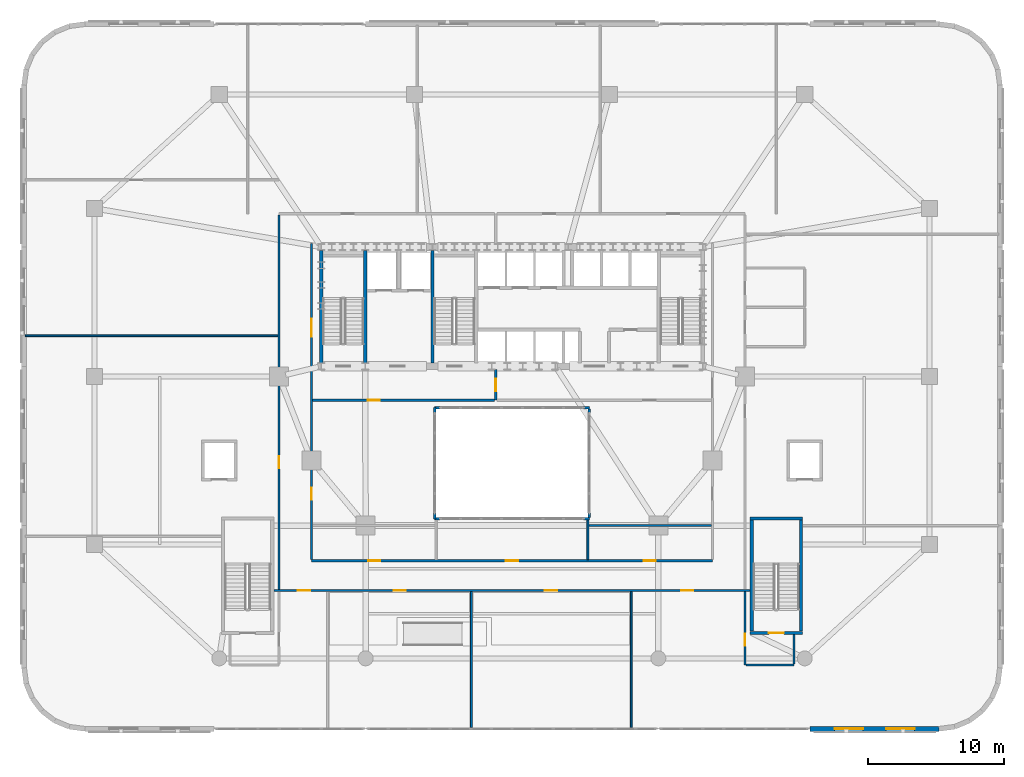
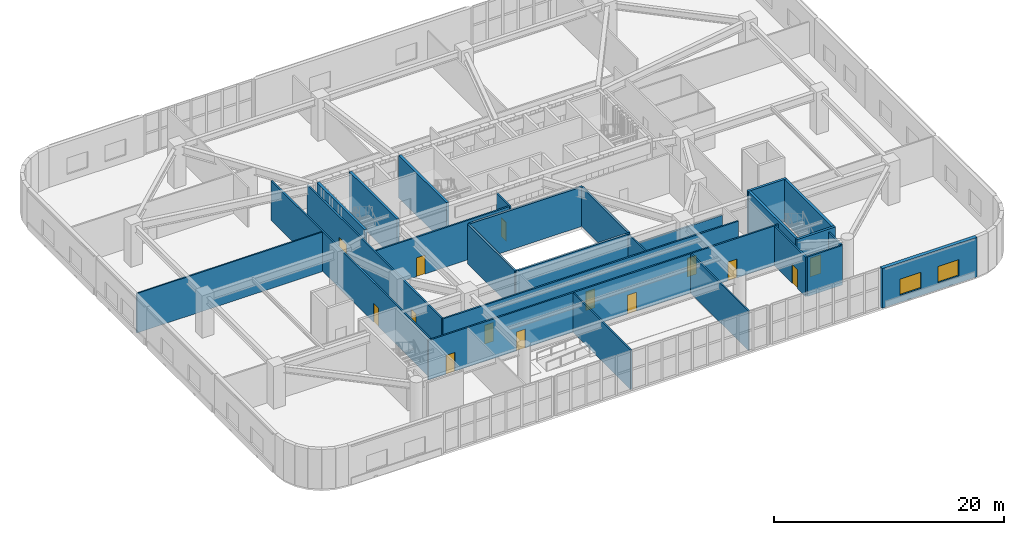
# One storey, part 14 of 25: 26 walls, 14 doors, 2 windows, 16 openings.
"""IFC4 building model written with IfcOpenShell, lengths in metres."""

from ifc_helpers import new_model, si_unit, direction, frame, frame_2d, origin, place, context, subcontext, project, spatial, rectangle, extrude, material, layer, layer_set, type_object, element, fill, save


model = new_model("IFC4")

# Units and contexts
model_context = context("Model", 3, precision=1e-05, world=origin(), true_north=direction((0.0, 1.0)))
body_context = subcontext(model_context, "Body", "Model", "MODEL_VIEW")
ifc_project = project(units=[si_unit("LENGTHUNIT", "METRE"), si_unit("AREAUNIT", "SQUARE_METRE"), si_unit("VOLUMEUNIT", "CUBIC_METRE"), si_unit("PLANEANGLEUNIT", "RADIAN"), si_unit("MASSUNIT", "GRAM", prefix="KILO")], contexts=[model_context])

# Site, building, storey
site_placement = place(None, origin())
site = spatial("IfcSite", under=ifc_project, at=site_placement, CompositionType="ELEMENT")
building_placement = place(site_placement, origin())
building = spatial("IfcBuilding", under=site, at=building_placement, Name="Haldorwick Loom Tower", CompositionType="ELEMENT")
storey_placement = place(building_placement, frame((0.0, 0.0, 6.0)))
storey = spatial("IfcBuildingStorey", under=building, at=storey_placement, Name="L01", CompositionType="ELEMENT", Elevation=6.0)

# Wall, openings, windows
ifc_material_1 = material(Name="Pressed Clay Face Brick and Insulated Masonry Backup Assembly", Category="masonry")
ifc_layer_1 = layer(ifc_material_1, 0.360107421875, Name="Pressed Clay Face Brick and Insulated Masonry Backup Assembly", Category="masonry")
ifc_layer_set_1 = layer_set([ifc_layer_1], Name="Pressed Clay Face Brick and Insulated Masonry Backup Assembly")
wall_type_1 = type_object("IfcWallType", Name="ARC-WL-EXT360", PredefinedType="STANDARD", material=ifc_layer_set_1)
wall_1_placement = place(storey_placement, frame((58.0, 0.0, 0.0), z_axis=(0.0, 0.0, 1.0), x_axis=(1.0, 0.0, 0.0)))
wall_1 = element("IfcWall", 1, at=wall_1_placement, inside=storey, type_object=wall_type_1, Name="L01 Brick Pier and Spandrel Wall 42", PredefinedType="STANDARD", context=body_context, shape_type="SweptSolid", body=[
    extrude(rectangle(XDim=9.5, YDim=0.360107421875, at=frame_2d((4.75, 0.0))), origin(), (0.0, 0.0, 1.0), 4.199951171875),
])
opening_1_placement = place(wall_1_placement, frame((1.800048828125, 0.0, 0.75)))
opening_1 = element("IfcOpeningElement", 2, at=opening_1_placement, cuts=wall_1, Name="Opening W-04", PredefinedType="OPENING", context=body_context, shape_type="SweptSolid", body=[
    extrude(rectangle(XDim=2.10009765625, YDim=1.719970703125, at=frame_2d((1.050048828125, 0.85986328125))), frame((0.0, 0.18994140625, 0.0), z_axis=(0.0, -1.0, 0.0), x_axis=(1.0, 0.0, 0.0)), (0.0, 0.0, 1.0), 0.380126953125),
])
opening_2_placement = place(wall_1_placement, frame((5.60009765625, 0.0, 0.75)))
opening_2 = element("IfcOpeningElement", 3, at=opening_2_placement, cuts=wall_1, Name="Opening W-04", PredefinedType="OPENING", context=body_context, shape_type="SweptSolid", body=[
    extrude(rectangle(XDim=2.10009765625, YDim=1.719970703125, at=frame_2d((1.050048828125, 0.85986328125))), frame((0.0, 0.18994140625, 0.0), z_axis=(0.0, -1.0, 0.0), x_axis=(1.0, 0.0, 0.0)), (0.0, 0.0, 1.0), 0.380126953125),
])
ifc_material_2 = material(Name="Triple-Glazed Low-E Argon Insulated Glazing Unit", Category="glass")
window_type = type_object("IfcWindowType", Name="ARC-WIN-W210", PartitioningType="SINGLE_PANEL", PredefinedType="WINDOW", material=ifc_material_2)
window_1_placement = place(opening_1_placement, origin())
window_1 = element("IfcWindow", 4, at=window_1_placement, inside=storey, type_object=window_type, Name="L01 Deep-Set Zone 7A Window 42", OverallHeight=1.719970703125, OverallWidth=2.10009765625, PartitioningType="SINGLE_PANEL", PredefinedType="WINDOW", context=body_context, shape_type="SweptSolid", body=[
    extrude(rectangle(XDim=2.10009765625, YDim=1.719970703125, at=frame_2d((1.050048828125, 0.85986328125))), frame((0.0, 0.030029296875, 0.0), z_axis=(0.0, -1.0, 0.0), x_axis=(1.0, 0.0, 0.0)), (0.0, 0.0, 1.0), 0.06005859375),
])
fill(opening_1, window_1)
window_2_placement = place(opening_2_placement, origin())
window_2 = element("IfcWindow", 5, at=window_2_placement, inside=storey, type_object=window_type, Name="L01 Deep-Set Zone 7A Window 42", OverallHeight=1.719970703125, OverallWidth=2.10009765625, PartitioningType="SINGLE_PANEL", PredefinedType="WINDOW", context=body_context, shape_type="SweptSolid", body=[
    extrude(rectangle(XDim=2.10009765625, YDim=1.719970703125, at=frame_2d((1.050048828125, 0.85986328125))), frame((0.0, 0.030029296875, 0.0), z_axis=(0.0, -1.0, 0.0), x_axis=(1.0, 0.0, 0.0)), (0.0, 0.0, 1.0), 0.06005859375),
])
fill(opening_2, window_2)

# Wall, openings, doors
ifc_material_3 = material(Name="Fire-Rated Type X Gypsum Stud Assembly EI 60")
ifc_layer_2 = layer(ifc_material_3, 0.159912109375, Name="Fire-Rated Type X Gypsum Stud Assembly EI 60")
ifc_layer_set_2 = layer_set([ifc_layer_2], Name="Fire-Rated Type X Gypsum Stud Assembly EI 60")
wall_type_2 = type_object("IfcWallType", Name="ARC-WL-FIRE160", PredefinedType="PARTITIONING", material=ifc_layer_set_2)
wall_2_placement = place(storey_placement, frame((18.443115234375, 10.199951171875, 0.0), z_axis=(0.0, 0.0, 1.0), x_axis=(1.0, 0.0, 0.0)))
wall_2 = element("IfcWall", 6, at=wall_2_placement, inside=storey, type_object=wall_type_2, Name="L01 Podium Partition L01-CS0", PredefinedType="PARTITIONING", context=body_context, shape_type="SweptSolid", body=[
    extrude(rectangle(XDim=35.11376953125, YDim=0.159912109375, at=frame_2d((17.556884765625, 0.0))), origin(), (0.0, 0.0, 1.0), 4.18505859375),
])
opening_3_placement = place(wall_2_placement, frame((19.97802734375, 0.0, 0.0)))
opening_3 = element("IfcOpeningElement", 7, at=opening_3_placement, cuts=wall_2, Name="Opening D-FD60A", PredefinedType="OPENING", context=body_context, shape_type="SweptSolid", body=[
    extrude(rectangle(XDim=0.89990234375, YDim=2.0, at=frame_2d((0.449951171875, 1.0))), frame((0.0, 0.08984375, 0.0), z_axis=(0.0, -1.0, 0.0), x_axis=(1.0, 0.0, 0.0)), (0.0, 0.0, 1.0), 0.179931640625),
])
opening_4_placement = place(wall_2_placement, frame((8.825439453125, 0.0, 0.0)))
opening_4 = element("IfcOpeningElement", 8, at=opening_4_placement, cuts=wall_2, Name="Opening D-FD60A", PredefinedType="OPENING", context=body_context, shape_type="SweptSolid", body=[
    extrude(rectangle(XDim=0.89990234375, YDim=2.0, at=frame_2d((0.449951171875, 1.0))), frame((0.0, 0.08984375, 0.0), z_axis=(0.0, -1.0, 0.0), x_axis=(1.0, 0.0, 0.0)), (0.0, 0.0, 1.0), 0.179931640625),
])
opening_5_placement = place(wall_2_placement, frame((30.0263671875, 0.0, 0.0)))
opening_5 = element("IfcOpeningElement", 9, at=opening_5_placement, cuts=wall_2, Name="Opening D-FD60A", PredefinedType="OPENING", context=body_context, shape_type="SweptSolid", body=[
    extrude(rectangle(XDim=0.89990234375, YDim=2.0, at=frame_2d((0.449951171875, 1.0))), frame((0.0, 0.08984375, 0.0), z_axis=(0.0, -1.0, 0.0), x_axis=(1.0, 0.0, 0.0)), (0.0, 0.0, 1.0), 0.179931640625),
])
opening_6_placement = place(wall_2_placement, frame((1.75830078125, 0.0, 0.0)))
opening_6 = element("IfcOpeningElement", 10, at=opening_6_placement, cuts=wall_2, Name="Opening D-FD60A", PredefinedType="OPENING", context=body_context, shape_type="SweptSolid", body=[
    extrude(rectangle(XDim=0.89990234375, YDim=2.0, at=frame_2d((0.449951171875, 1.0))), frame((0.0, 0.08984375, 0.0), z_axis=(0.0, -1.0, 0.0), x_axis=(1.0, 0.0, 0.0)), (0.0, 0.0, 1.0), 0.179931640625),
])
ifc_material_4 = material(Name="Hollow Steel Fire Door Assembly", Category="steel")
door_type_1 = type_object("IfcDoorType", Name="ARC-DR-FD60-90", OperationType="NOTDEFINED", PredefinedType="DOOR", material=ifc_material_4)
door_1_placement = place(opening_3_placement, origin())
door_1 = element("IfcDoor", 11, at=door_1_placement, inside=storey, type_object=door_type_1, Name="L01 L01 South Clinic Corridor to Ticket Customer Office 2 Door", OperationType="SINGLE_SWING_RIGHT", OverallHeight=2.0, OverallWidth=0.89990234375, PredefinedType="DOOR", context=body_context, shape_type="SweptSolid", body=[
    extrude(rectangle(XDim=0.89990234375, YDim=2.0, at=frame_2d((0.449951171875, 1.0))), frame((0.0, 0.02490234375, 0.0), z_axis=(0.0, -1.0, 0.0), x_axis=(1.0, 0.0, 0.0)), (0.0, 0.0, 1.0), 0.050048828125),
])
fill(opening_3, door_1)
door_2_placement = place(opening_4_placement, origin())
door_2 = element("IfcDoor", 12, at=door_2_placement, inside=storey, type_object=door_type_1, Name="L01 L01 South Clinic Corridor to Station Mezzanine Lounge 1 Door", OperationType="SINGLE_SWING_RIGHT", OverallHeight=2.0, OverallWidth=0.89990234375, PredefinedType="DOOR", context=body_context, shape_type="SweptSolid", body=[
    extrude(rectangle(XDim=0.89990234375, YDim=2.0, at=frame_2d((0.449951171875, 1.0))), frame((0.0, 0.02490234375, 0.0), z_axis=(0.0, -1.0, 0.0), x_axis=(1.0, 0.0, 0.0)), (0.0, 0.0, 1.0), 0.050048828125),
])
fill(opening_4, door_2)
door_3_placement = place(opening_5_placement, origin())
door_3 = element("IfcDoor", 13, at=door_3_placement, inside=storey, type_object=door_type_1, Name="L01 L01 South Clinic Corridor to Station Mezzanine Lounge 6 Door", OperationType="SINGLE_SWING_LEFT", OverallHeight=2.0, OverallWidth=0.89990234375, PredefinedType="DOOR", context=body_context, shape_type="SweptSolid", body=[
    extrude(rectangle(XDim=0.89990234375, YDim=2.0, at=frame_2d((0.449951171875, 1.0))), frame((0.0, 0.02490234375, 0.0), z_axis=(0.0, -1.0, 0.0), x_axis=(1.0, 0.0, 0.0)), (0.0, 0.0, 1.0), 0.050048828125),
])
fill(opening_5, door_3)
door_4_placement = place(opening_6_placement, origin())
door_4 = element("IfcDoor", 14, at=door_4_placement, inside=storey, type_object=door_type_1, Name="L01 L01 South Clinic Corridor to Patient Registration Office 5 Door", OperationType="SINGLE_SWING_LEFT", OverallHeight=2.0, OverallWidth=0.89990234375, PredefinedType="DOOR", context=body_context, shape_type="SweptSolid", body=[
    extrude(rectangle(XDim=0.89990234375, YDim=2.0, at=frame_2d((0.449951171875, 1.0))), frame((0.0, 0.02490234375, 0.0), z_axis=(0.0, -1.0, 0.0), x_axis=(1.0, 0.0, 0.0)), (0.0, 0.0, 1.0), 0.050048828125),
])
fill(opening_6, door_4)

wall_3_placement = place(storey_placement, frame((21.199951171875, 12.39990234375, 0.0), z_axis=(0.0, 0.0, 1.0), x_axis=(1.0, 0.0, 0.0)))
wall_3 = element("IfcWall", 15, at=wall_3_placement, inside=storey, type_object=wall_type_2, Name="L01 Podium Partition L01-CS1", PredefinedType="PARTITIONING", context=body_context, shape_type="SweptSolid", body=[
    extrude(rectangle(XDim=29.60009765625, YDim=0.159912109375, at=frame_2d((14.800048828125, 0.0))), origin(), (0.0, 0.0, 1.0), 4.18505859375),
])
opening_7_placement = place(wall_3_placement, frame((14.35009765625, 0.0, 0.0)))
opening_7 = element("IfcOpeningElement", 16, at=opening_7_placement, cuts=wall_3, Name="Opening D-FD60A", PredefinedType="OPENING", context=body_context, shape_type="SweptSolid", body=[
    extrude(rectangle(XDim=0.89990234375, YDim=2.0, at=frame_2d((0.449951171875, 1.0))), frame((0.0, 0.08984375, 0.0), z_axis=(0.0, -1.0, 0.0), x_axis=(1.0, 0.0, 0.0)), (0.0, 0.0, 1.0), 0.179931640625),
])
opening_8_placement = place(wall_3_placement, frame((24.51123046875, 0.0, 0.0)))
opening_8 = element("IfcOpeningElement", 17, at=opening_8_placement, cuts=wall_3, Name="Opening D-FD60A", PredefinedType="OPENING", context=body_context, shape_type="SweptSolid", body=[
    extrude(rectangle(XDim=0.89990234375, YDim=2.0, at=frame_2d((0.449951171875, 1.0))), frame((0.0, 0.08984375, 0.0), z_axis=(0.0, -1.0, 0.0), x_axis=(1.0, 0.0, 0.0)), (0.0, 0.0, 1.0), 0.179931640625),
])
opening_9_placement = place(wall_3_placement, frame((4.188720703125, 0.0, 0.0)))
opening_9 = element("IfcOpeningElement", 18, at=opening_9_placement, cuts=wall_3, Name="Opening D-FD60A", PredefinedType="OPENING", context=body_context, shape_type="SweptSolid", body=[
    extrude(rectangle(XDim=0.89990234375, YDim=2.0, at=frame_2d((0.449951171875, 1.0))), frame((0.0, 0.08984375, 0.0), z_axis=(0.0, -1.0, 0.0), x_axis=(1.0, 0.0, 0.0)), (0.0, 0.0, 1.0), 0.179931640625),
])
door_5_placement = place(opening_7_placement, origin())
door_5 = element("IfcDoor", 19, at=door_5_placement, inside=storey, type_object=door_type_1, Name="L01 Clinic Triage Suite 9 to L01 South Clinic Corridor Door", OperationType="SINGLE_SWING_LEFT", OverallHeight=2.0, OverallWidth=0.89990234375, PredefinedType="DOOR", context=body_context, shape_type="SweptSolid", body=[
    extrude(rectangle(XDim=0.89990234375, YDim=2.0, at=frame_2d((0.449951171875, 1.0))), frame((0.0, 0.02490234375, 0.0), z_axis=(0.0, -1.0, 0.0), x_axis=(1.0, 0.0, 0.0)), (0.0, 0.0, 1.0), 0.050048828125),
])
fill(opening_7, door_5)
door_6_placement = place(opening_8_placement, origin())
door_6 = element("IfcDoor", 20, at=door_6_placement, inside=storey, type_object=door_type_1, Name="L01 Community Retail Pharmacy 8 to L01 South Clinic Corridor Door", OperationType="SINGLE_SWING_LEFT", OverallHeight=2.0, OverallWidth=0.89990234375, PredefinedType="DOOR", context=body_context, shape_type="SweptSolid", body=[
    extrude(rectangle(XDim=0.89990234375, YDim=2.0, at=frame_2d((0.449951171875, 1.0))), frame((0.0, 0.02490234375, 0.0), z_axis=(0.0, -1.0, 0.0), x_axis=(1.0, 0.0, 0.0)), (0.0, 0.0, 1.0), 0.050048828125),
])
fill(opening_8, door_6)
door_7_placement = place(opening_9_placement, origin())
door_7 = element("IfcDoor", 21, at=door_7_placement, inside=storey, type_object=door_type_1, Name="L01 Ticket Customer Office 7 to L01 South Clinic Corridor Door", OperationType="SINGLE_SWING_RIGHT", OverallHeight=2.0, OverallWidth=0.89990234375, PredefinedType="DOOR", context=body_context, shape_type="SweptSolid", body=[
    extrude(rectangle(XDim=0.89990234375, YDim=2.0, at=frame_2d((0.449951171875, 1.0))), frame((0.0, 0.02490234375, 0.0), z_axis=(0.0, -1.0, 0.0), x_axis=(1.0, 0.0, 0.0)), (0.0, 0.0, 1.0), 0.050048828125),
])
fill(opening_9, door_7)

# Wall, opening, door
wall_4_placement = place(storey_placement, frame((34.800048828125, 24.25, 0.0), z_axis=(0.0, 0.0, 1.0), x_axis=(0.0, 1.0, 0.0)))
wall_4 = element("IfcWall", 22, at=wall_4_placement, inside=storey, type_object=wall_type_2, Name="L01 Podium Partition L01-CCS", PredefinedType="PARTITIONING", context=body_context, shape_type="SweptSolid", body=[
    extrude(rectangle(XDim=2.2470703125, YDim=0.159912109375, at=frame_2d((1.12353515625, 0.0))), origin(), (0.0, 0.0, 1.0), 4.18505859375),
])
opening_10_placement = place(wall_4_placement, frame((0.673583984375, 0.0, 0.0)))
opening_10 = element("IfcOpeningElement", 23, at=opening_10_placement, cuts=wall_4, Name="Opening D-FD60A", PredefinedType="OPENING", context=body_context, shape_type="SweptSolid", body=[
    extrude(rectangle(XDim=0.89990234375, YDim=2.0, at=frame_2d((0.449951171875, 1.0))), frame((0.0, 0.08984375, 0.0), z_axis=(0.0, -1.0, 0.0), x_axis=(1.0, 0.0, 0.0)), (0.0, 0.0, 1.0), 0.179931640625),
])
door_8_placement = place(opening_10_placement, origin())
door_8 = element("IfcDoor", 24, at=door_8_placement, inside=storey, type_object=door_type_1, Name="L01 L01 West Core Corridor to L01 East Core Corridor Door", OperationType="SINGLE_SWING_LEFT", OverallHeight=2.0, OverallWidth=0.89990234375, PredefinedType="DOOR", context=body_context, shape_type="SweptSolid", body=[
    extrude(rectangle(XDim=0.89990234375, YDim=2.0, at=frame_2d((0.449951171875, 1.0))), frame((0.0, 0.02490234375, 0.0), z_axis=(0.0, -1.0, 0.0), x_axis=(1.0, 0.0, 0.0)), (0.0, 0.0, 1.0), 0.050048828125),
])
fill(opening_10, door_8)

wall_5_placement = place(storey_placement, frame((53.199951171875, 4.699951171875, 0.0), z_axis=(0.0, 0.0, 1.0), x_axis=(0.0, 1.0, 0.0)))
wall_5 = element("IfcWall", 25, at=wall_5_placement, inside=storey, type_object=wall_type_2, Name="L01 Podium Partition L01-SP2W", PredefinedType="PARTITIONING", context=body_context, shape_type="SweptSolid", body=[
    extrude(rectangle(XDim=5.4169921875, YDim=0.159912109375, at=frame_2d((2.70849609375, 0.0))), origin(), (0.0, 0.0, 1.0), 4.18505859375),
])
opening_11_placement = place(wall_5_placement, frame((1.419189453125, 0.0, 0.0)))
opening_11 = element("IfcOpeningElement", 26, at=opening_11_placement, cuts=wall_5, Name="Opening D-FD60A", PredefinedType="OPENING", context=body_context, shape_type="SweptSolid", body=[
    extrude(rectangle(XDim=0.89990234375, YDim=2.0, at=frame_2d((0.449951171875, 1.0))), frame((0.0, 0.08984375, 0.0), z_axis=(0.0, -1.0, 0.0), x_axis=(1.0, 0.0, 0.0)), (0.0, 0.0, 1.0), 0.179931640625),
])
door_9_placement = place(opening_11_placement, origin())
door_9 = element("IfcDoor", 27, at=door_9_placement, inside=storey, type_object=door_type_1, Name="L01 Station Mezzanine Lounge 6 to L01 East Stair Vestibule Door", OperationType="SINGLE_SWING_LEFT", OverallHeight=2.0, OverallWidth=0.89990234375, PredefinedType="DOOR", context=body_context, shape_type="SweptSolid", body=[
    extrude(rectangle(XDim=0.89990234375, YDim=2.0, at=frame_2d((0.449951171875, 1.0))), frame((0.0, 0.02490234375, 0.0), z_axis=(0.0, -1.0, 0.0), x_axis=(1.0, 0.0, 0.0)), (0.0, 0.0, 1.0), 0.050048828125),
])
fill(opening_11, door_9)

# Walls
wall_6_placement = place(storey_placement, frame((53.282958984375, 4.699951171875, 0.0), z_axis=(0.0, 0.0, 1.0), x_axis=(1.0, 0.0, 0.0)))
element("IfcWall", 28, at=wall_6_placement, inside=storey, type_object=wall_type_2, Name="L01 Podium Partition L01-SP2S", PredefinedType="PARTITIONING", context=body_context, shape_type="SweptSolid", body=[
    extrude(rectangle(XDim=3.51708984375, YDim=0.159912109375, at=frame_2d((1.758544921875, 0.0))), origin(), (0.0, 0.0, 1.0), 4.18505859375),
])
wall_7_placement = place(storey_placement, frame((56.800048828125, 4.782958984375, 0.0), z_axis=(0.0, 0.0, 1.0), x_axis=(0.0, 1.0, 0.0)))
element("IfcWall", 29, at=wall_7_placement, inside=storey, type_object=wall_type_2, Name="L01 Podium Partition L01-SP2E", PredefinedType="PARTITIONING", context=body_context, shape_type="SweptSolid", body=[
    extrude(rectangle(XDim=2.174072265625, YDim=0.159912109375, at=frame_2d((1.0869140625, 0.0))), origin(), (0.0, 0.0, 1.0), 4.18505859375),
])

# Wall, opening, door
wall_8_placement = place(storey_placement, frame((18.800048828125, 10.282958984375, 0.0), z_axis=(0.0, 0.0, 1.0), x_axis=(0.0, 1.0, 0.0)))
wall_8 = element("IfcWall", 30, at=wall_8_placement, inside=storey, type_object=wall_type_2, Name="L01 Podium Partition L01-CW0", PredefinedType="PARTITIONING", context=body_context, shape_type="SweptSolid", body=[
    extrude(rectangle(XDim=27.634033203125, YDim=0.159912109375, at=frame_2d((13.81689453125, 0.0))), origin(), (0.0, 0.0, 1.0), 4.18505859375),
])
opening_12_placement = place(wall_8_placement, frame((8.945556640625, 0.0, 0.0)))
opening_12 = element("IfcOpeningElement", 31, at=opening_12_placement, cuts=wall_8, Name="Opening D-FD60A", PredefinedType="OPENING", context=body_context, shape_type="SweptSolid", body=[
    extrude(rectangle(XDim=0.89990234375, YDim=2.0, at=frame_2d((0.449951171875, 1.0))), frame((0.0, 0.08984375, 0.0), z_axis=(0.0, -1.0, 0.0), x_axis=(1.0, 0.0, 0.0)), (0.0, 0.0, 1.0), 0.179931640625),
])
door_10_placement = place(opening_12_placement, frame((0.89990234375, 0.0, 0.0), z_axis=(0.0, 0.0, 1.0), x_axis=(-1.0, 0.0, 0.0)))
door_10 = element("IfcDoor", 32, at=door_10_placement, inside=storey, type_object=door_type_1, Name="L01 Ticket Customer Office 12 to L01 South Clinic Corridor Door", OperationType="SINGLE_SWING_LEFT", OverallHeight=2.0, OverallWidth=0.89990234375, PredefinedType="DOOR", context=body_context, shape_type="SweptSolid", body=[
    extrude(rectangle(XDim=0.89990234375, YDim=2.0, at=frame_2d((0.449951171875, 1.0))), frame((0.0, 0.02490234375, 0.0), z_axis=(0.0, -1.0, 0.0), x_axis=(1.0, 0.0, 0.0)), (0.0, 0.0, 1.0), 0.050048828125),
])
fill(opening_12, door_10)

# Wall, openings, doors
wall_9_placement = place(storey_placement, frame((21.199951171875, 12.48291015625, 0.0), z_axis=(0.0, 0.0, 1.0), x_axis=(0.0, 1.0, 0.0)))
wall_9 = element("IfcWall", 33, at=wall_9_placement, inside=storey, type_object=wall_type_2, Name="L01 Podium Partition L01-CW1", PredefinedType="PARTITIONING", context=body_context, shape_type="SweptSolid", body=[
    extrude(rectangle(XDim=23.317138671875, YDim=0.159912109375, at=frame_2d((11.65869140625, 0.0))), origin(), (0.0, 0.0, 1.0), 4.18505859375),
])
opening_13_placement = place(wall_9_placement, frame((16.43603515625, 0.0, 0.0)))
opening_13 = element("IfcOpeningElement", 34, at=opening_13_placement, cuts=wall_9, Name="Opening D-CR15", PredefinedType="OPENING", context=body_context, shape_type="SweptSolid", body=[
    extrude(rectangle(XDim=1.35009765625, YDim=2.0, at=frame_2d((0.675048828125, 1.0))), frame((0.0, 0.08984375, 0.0), z_axis=(0.0, -1.0, 0.0), x_axis=(1.0, 0.0, 0.0)), (0.0, 0.0, 1.0), 0.179931640625),
])
opening_14_placement = place(wall_9_placement, frame((4.405517578125, 0.0, 0.0)))
opening_14 = element("IfcOpeningElement", 35, at=opening_14_placement, cuts=wall_9, Name="Opening D-FD60A", PredefinedType="OPENING", context=body_context, shape_type="SweptSolid", body=[
    extrude(rectangle(XDim=0.89990234375, YDim=2.0, at=frame_2d((0.449951171875, 1.0))), frame((0.0, 0.08984375, 0.0), z_axis=(0.0, -1.0, 0.0), x_axis=(1.0, 0.0, 0.0)), (0.0, 0.0, 1.0), 0.179931640625),
])
ifc_material_5 = material(Name="Thermally Broken Anodized Aluminium and Tempered Glass", Category="aluminium")
door_type_2 = type_object("IfcDoorType", Name="ARC-DR-COR150", OperationType="NOTDEFINED", PredefinedType="DOOR", material=ifc_material_5)
door_11_placement = place(opening_13_placement, origin())
door_11 = element("IfcDoor", 36, at=door_11_placement, inside=storey, type_object=door_type_2, Name="L01 L01 South Clinic Corridor to L01 West Core Corridor Door", OperationType="DOUBLE_DOOR_SINGLE_SWING", OverallHeight=2.0, OverallWidth=1.35009765625, PredefinedType="DOOR", context=body_context, shape_type="SweptSolid", body=[
    extrude(rectangle(XDim=1.35009765625, YDim=2.0, at=frame_2d((0.675048828125, 1.0))), frame((0.0, 0.02490234375, 0.0), z_axis=(0.0, -1.0, 0.0), x_axis=(1.0, 0.0, 0.0)), (0.0, 0.0, 1.0), 0.050048828125),
])
fill(opening_13, door_11)
door_12_placement = place(opening_14_placement, frame((0.89990234375, 0.0, 0.0), z_axis=(0.0, 0.0, 1.0), x_axis=(-1.0, 0.0, 0.0)))
door_12 = element("IfcDoor", 37, at=door_12_placement, inside=storey, type_object=door_type_1, Name="L01 L01 South Clinic Corridor to Patient Registration Office 10 Door", OperationType="SINGLE_SWING_LEFT", OverallHeight=2.0, OverallWidth=0.89990234375, PredefinedType="DOOR", context=body_context, shape_type="SweptSolid", body=[
    extrude(rectangle(XDim=0.89990234375, YDim=2.0, at=frame_2d((0.449951171875, 1.0))), frame((0.0, 0.02490234375, 0.0), z_axis=(0.0, -1.0, 0.0), x_axis=(1.0, 0.0, 0.0)), (0.0, 0.0, 1.0), 0.050048828125),
])
fill(opening_14, door_12)

# Wall, opening, door
wall_10_placement = place(storey_placement, frame((21.282958984375, 24.25, 0.0), z_axis=(0.0, 0.0, 1.0), x_axis=(1.0, 0.0, 0.0)))
wall_10 = element("IfcWall", 38, at=wall_10_placement, inside=storey, type_object=wall_type_2, Name="L01 Podium Partition L01-CMN", PredefinedType="PARTITIONING", context=body_context, shape_type="SweptSolid", body=[
    extrude(rectangle(XDim=13.43408203125, YDim=0.159912109375, at=frame_2d((6.717041015625, 0.0))), origin(), (0.0, 0.0, 1.0), 4.18505859375),
])
opening_15_placement = place(wall_10_placement, frame((4.064697265625, 0.0, 0.0)))
opening_15 = element("IfcOpeningElement", 39, at=opening_15_placement, cuts=wall_10, Name="Opening D-FD60A", PredefinedType="OPENING", context=body_context, shape_type="SweptSolid", body=[
    extrude(rectangle(XDim=0.89990234375, YDim=2.0, at=frame_2d((0.449951171875, 1.0))), frame((0.0, 0.08984375, 0.0), z_axis=(0.0, -1.0, 0.0), x_axis=(1.0, 0.0, 0.0)), (0.0, 0.0, 1.0), 0.179931640625),
])
door_13_placement = place(opening_15_placement, origin())
door_13 = element("IfcDoor", 40, at=door_13_placement, inside=storey, type_object=door_type_1, Name="L01 L01 West Core Corridor to Patient Registration Office 10 Door", OperationType="SINGLE_SWING_RIGHT", OverallHeight=2.0, OverallWidth=0.89990234375, PredefinedType="DOOR", context=body_context, shape_type="SweptSolid", body=[
    extrude(rectangle(XDim=0.89990234375, YDim=2.0, at=frame_2d((0.449951171875, 1.0))), frame((0.0, 0.02490234375, 0.0), z_axis=(0.0, -1.0, 0.0), x_axis=(1.0, 0.0, 0.0)), (0.0, 0.0, 1.0), 0.050048828125),
])
fill(opening_15, door_13)

# Walls
wall_11_placement = place(storey_placement, frame((41.673095703125, 15.0, 0.0), z_axis=(0.0, 0.0, 1.0), x_axis=(1.0, 0.0, 0.0)))
element("IfcWall", 41, at=wall_11_placement, inside=storey, type_object=wall_type_2, Name="L01 Podium Partition L01-PTE", PredefinedType="PARTITIONING", context=body_context, shape_type="SweptSolid", body=[
    extrude(rectangle(XDim=9.0439453125, YDim=0.159912109375, at=frame_2d((4.52197265625, 0.0))), origin(), (0.0, 0.0, 1.0), 3.262939453125),
])
ifc_material_6 = material(Name="Fire-Rated Type X Gypsum Stud Assembly EI 120")
ifc_layer_3 = layer(ifc_material_6, 0.199951171875, Name="Fire-Rated Type X Gypsum Stud Assembly EI 120")
ifc_layer_set_3 = layer_set([ifc_layer_3], Name="Fire-Rated Type X Gypsum Stud Assembly EI 120")
wall_type_3 = type_object("IfcWallType", Name="ARC-WL-FIRE200", PredefinedType="PARTITIONING", material=ifc_layer_set_3)
for number, where, z_axis, x_axis, name in (
    (42, (30.300048828125, 23.699951171875, 0.0), (0.0, 0.0, 1.0), (1.0, 0.0, 0.0), "L01 Podium Atrium Wall"),
    (43, (41.699951171875, 15.5, 0.0), (0.0, 0.0, 1.0), (-1.0, 0.0, 0.0), "L01 Podium Atrium Wall"),
):
    element("IfcWall", number, at=place(storey_placement, frame(where, z_axis=z_axis, x_axis=x_axis)), inside=storey, type_object=wall_type_3, Name=name, PredefinedType="PARTITIONING", context=body_context, shape_type="SweptSolid", body=[
        extrude(rectangle(XDim=11.39990234375, YDim=0.199951171875, at=frame_2d((5.699951171875, 0.0))), origin(), (0.0, 0.0, 1.0), 4.18505859375),
    ])
wall_12_placement = place(storey_placement, frame((30.300048828125, 15.5, 0.0), z_axis=(0.0, 0.0, 1.0), x_axis=(0.0, 1.0, 0.0)))
element("IfcWall", 44, at=wall_12_placement, inside=storey, type_object=wall_type_3, Name="L01 Podium Atrium Wall", PredefinedType="PARTITIONING", context=body_context, shape_type="SweptSolid", body=[
    extrude(rectangle(XDim=8.199951171875, YDim=0.199951171875, at=frame_2d((4.10009765625, 0.0))), origin(), (0.0, 0.0, 1.0), 4.18505859375),
])
wall_13_placement = place(storey_placement, frame((41.699951171875, 23.596923828125, 0.0), z_axis=(0.0, 0.0, 1.0), x_axis=(0.0, -1.0, 0.0)))
element("IfcWall", 45, at=wall_13_placement, inside=storey, type_object=wall_type_3, Name="L01 Podium Atrium Wall", PredefinedType="PARTITIONING", context=body_context, shape_type="SweptSolid", body=[
    extrude(rectangle(XDim=7.993896484375, YDim=0.199951171875, at=frame_2d((3.9970703125, 0.0))), origin(), (0.0, 0.0, 1.0), 4.18505859375),
])
ifc_layer_4 = layer(ifc_material_3, 0.139892578125, Name="Fire-Rated Type X Gypsum Stud Assembly EI 60")
ifc_layer_set_4 = layer_set([ifc_layer_4], Name="Fire-Rated Type X Gypsum Stud Assembly EI 60")
wall_type_4 = type_object("IfcWallType", Name="ARC-WL-PART140", PredefinedType="PARTITIONING", material=ifc_layer_set_4)
wall_14_placement = place(storey_placement, frame((41.60009765625, 12.48291015625, 0.0), z_axis=(0.0, 0.0, 1.0), x_axis=(0.0, 1.0, 0.0)))
element("IfcWall", 46, at=wall_14_placement, inside=storey, type_object=wall_type_4, Name="L01 Podium Partition L01-ATE1", PredefinedType="PARTITIONING", context=body_context, shape_type="SweptSolid", body=[
    extrude(rectangle(XDim=2.9140625, YDim=0.139892578125, at=frame_2d((1.45703125, 0.0))), origin(), (0.0, 0.0, 1.0), 4.18505859375),
])
for number, where, z_axis, x_axis, name in (
    (47, (33.0, 0.10009765625, 0.0), (0.0, 0.0, 1.0), (0.0, 1.0, 0.0), "L01 Podium Partition L01-PS-1"),
    (48, (44.800048828125, 0.10009765625, 0.0), (0.0, 0.0, 1.0), (0.0, 1.0, 0.0), "L01 Podium Partition L01-PS-2"),
):
    element("IfcWall", number, at=place(storey_placement, frame(where, z_axis=z_axis, x_axis=x_axis)), inside=storey, type_object=wall_type_4, Name=name, PredefinedType="PARTITIONING", context=body_context, shape_type="SweptSolid", body=[
        extrude(rectangle(XDim=10.016845703125, YDim=0.139892578125, at=frame_2d((5.00830078125, 0.0))), origin(), (0.0, 0.0, 1.0), 4.18505859375),
    ])
wall_15_placement = place(storey_placement, frame((0.10009765625, 29.0, 0.0), z_axis=(0.0, 0.0, 1.0), x_axis=(1.0, 0.0, 0.0)))
element("IfcWall", 49, at=wall_15_placement, inside=storey, type_object=wall_type_4, Name="L01 Podium Partition L01-PW-1", PredefinedType="PARTITIONING", context=body_context, shape_type="SweptSolid", body=[
    extrude(rectangle(XDim=18.616943359375, YDim=0.139892578125, at=frame_2d((9.30859375, 0.0))), origin(), (0.0, 0.0, 1.0), 4.18505859375),
])
ifc_material_7 = material(Name="Concrete C50 (50 MPa)", Category="concrete")
ifc_layer_5 = layer(ifc_material_7, 0.239990234375, Name="Concrete C50 (50 MPa)", Category="concrete")
ifc_layer_set_5 = layer_set([ifc_layer_5], Name="Concrete C50 (50 MPa)")
wall_type_5 = type_object("IfcWallType", Name="STR-WL-SHAFT240", PredefinedType="SHEAR", material=ifc_layer_set_5)
for number, where, z_axis, x_axis, name in (
    (50, (21.929931640625, 35.297119140625, 0.0), (0.0, 0.0, 1.0), (0.0, -1.0, 0.0), "L01 Core Shear Wall W"),
    (51, (25.169921875, 27.0029296875, 0.0), (0.0, 0.0, 1.0), (0.0, 1.0, 0.0), "L01 Core Shear Wall 1"),
    (52, (30.1298828125, 27.0029296875, 0.0), (0.0, 0.0, 1.0), (0.0, 1.0, 0.0), "L01 Core Shear Wall 2"),
):
    element("IfcWall", number, at=place(storey_placement, frame(where, z_axis=z_axis, x_axis=x_axis)), inside=storey, type_object=wall_type_5, Name=name, PredefinedType="SHEAR", context=body_context, shape_type="SweptSolid", body=[
        extrude(rectangle(XDim=8.294189453125, YDim=0.239990234375, at=frame_2d((4.14697265625, 0.0))), origin(), (0.0, 0.0, 1.0), 4.5),
    ])

# Wall, opening, door
wall_16_placement = place(storey_placement, frame((53.56005859375, 7.080078125, 0.0), z_axis=(0.0, 0.0, 1.0), x_axis=(1.0, 0.0, 0.0)))
wall_16 = element("IfcWall", 53, at=wall_16_placement, inside=storey, type_object=wall_type_5, Name="L01 Exit Stairwell ST-P2 Wall", PredefinedType="SHEAR", context=body_context, shape_type="SweptSolid", body=[
    extrude(rectangle(XDim=3.8798828125, YDim=0.239990234375, at=frame_2d((1.93994140625, 0.0))), origin(), (0.0, 0.0, 1.0), 4.5),
])
opening_16_placement = place(wall_16_placement, frame((1.389892578125, 0.0, 0.0)))
opening_16 = element("IfcOpeningElement", 54, at=opening_16_placement, cuts=wall_16, Name="Opening D-FD90", PredefinedType="OPENING", context=body_context, shape_type="SweptSolid", body=[
    extrude(rectangle(XDim=1.10009765625, YDim=2.0, at=frame_2d((0.550048828125, 1.0))), frame((0.0, 0.1298828125, 0.0), z_axis=(0.0, -1.0, 0.0), x_axis=(1.0, 0.0, 0.0)), (0.0, 0.0, 1.0), 0.260009765625),
])
door_type_3 = type_object("IfcDoorType", Name="ARC-DR-FD90", OperationType="NOTDEFINED", PredefinedType="DOOR", material=ifc_material_4)
door_14_placement = place(opening_16_placement, origin())
door_14 = element("IfcDoor", 55, at=door_14_placement, inside=storey, type_object=door_type_3, Name="L01 Exit Stairwell ST-P2 Exit Door", OperationType="SINGLE_SWING_RIGHT", OverallHeight=2.0, OverallWidth=1.10009765625, PredefinedType="DOOR", context=body_context, shape_type="SweptSolid", body=[
    extrude(rectangle(XDim=1.10009765625, YDim=2.0, at=frame_2d((0.550048828125, 1.0))), frame((0.0, 0.02490234375, 0.0), z_axis=(0.0, -1.0, 0.0), x_axis=(1.0, 0.0, 0.0)), (0.0, 0.0, 1.0), 0.050048828125),
])
fill(opening_16, door_14)

# Walls
wall_17_placement = place(storey_placement, frame((57.43994140625, 15.52001953125, 0.0), z_axis=(0.0, 0.0, 1.0), x_axis=(-1.0, 0.0, 0.0)))
element("IfcWall", 56, at=wall_17_placement, inside=storey, type_object=wall_type_5, Name="L01 Exit Stairwell ST-P2 Wall", PredefinedType="SHEAR", context=body_context, shape_type="SweptSolid", body=[
    extrude(rectangle(XDim=3.8798828125, YDim=0.239990234375, at=frame_2d((1.93994140625, 0.0))), origin(), (0.0, 0.0, 1.0), 4.5),
])
for number, where, z_axis, x_axis, name in (
    (57, (53.679931640625, 7.202880859375, 0.0), (0.0, 0.0, 1.0), (0.0, 1.0, 0.0), "L01 Exit Stairwell ST-P2 Wall"),
    (58, (57.320068359375, 7.202880859375, 0.0), (0.0, 0.0, 1.0), (0.0, 1.0, 0.0), "L01 Exit Stairwell ST-P2 Wall"),
):
    element("IfcWall", number, at=place(storey_placement, frame(where, z_axis=z_axis, x_axis=x_axis)), inside=storey, type_object=wall_type_5, Name=name, PredefinedType="SHEAR", context=body_context, shape_type="SweptSolid", body=[
        extrude(rectangle(XDim=8.194091796875, YDim=0.239990234375, at=frame_2d((4.09716796875, 0.0))), origin(), (0.0, 0.0, 1.0), 4.5),
    ])

save(model, "model.ifc")
